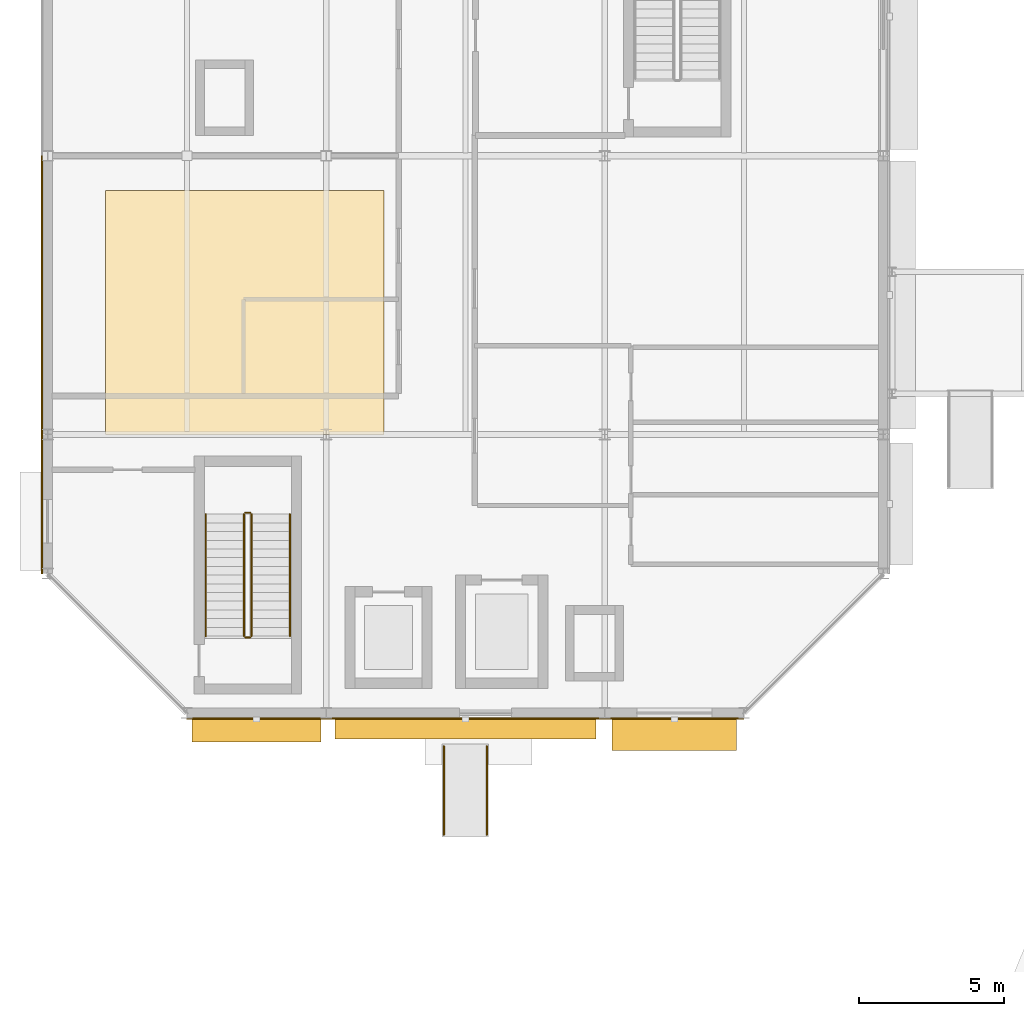
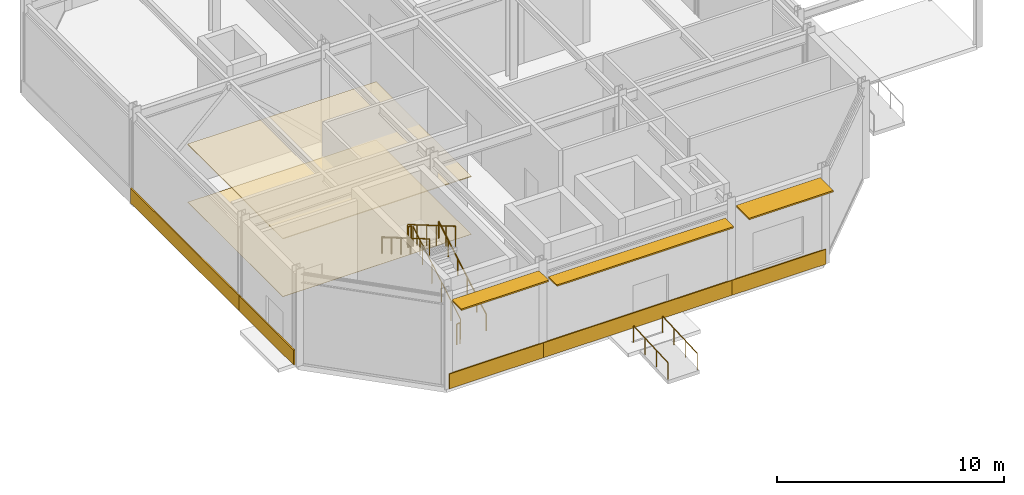
# One storey, part 152 of 168: 8 railings, 7 coverings, 3 shading devices.
"""IFC4 building model written with IfcOpenShell, lengths in metres."""

from ifc_helpers import new_model, si_unit, direction, frame, origin, origin_2d, place, context, subcontext, project, spatial, polyline, rectangle, circle, outline, extrude, material, layer, layer_set, type_object, element, save


model = new_model("IFC4")

# Units and contexts
model_context = context("Model", 3, precision=1e-05, world=origin(), true_north=direction((0.0, 1.0)))
body_context = subcontext(model_context, "Body", "Model", "MODEL_VIEW")
ifc_project = project(units=[si_unit("LENGTHUNIT", "METRE"), si_unit("AREAUNIT", "SQUARE_METRE"), si_unit("VOLUMEUNIT", "CUBIC_METRE"), si_unit("PLANEANGLEUNIT", "RADIAN"), si_unit("MASSUNIT", "GRAM", prefix="KILO")], contexts=[model_context])

# Site, building, storey
site_placement = place(None, origin())
site = spatial("IfcSite", under=ifc_project, at=site_placement, CompositionType="ELEMENT")
building_placement = place(site_placement, origin())
building = spatial("IfcBuilding", under=site, at=building_placement, Name="Almandine Court Research Institute", CompositionType="ELEMENT")
storey_placement = place(building_placement, origin())
storey = spatial("IfcBuildingStorey", under=building, at=storey_placement, Name="L00", CompositionType="ELEMENT", Elevation=0.0)

# Coverings
ifc_material_1 = material(Name="Cleanroom Aluminium HEPA Fan-Filter Ceiling Grid", Category="aluminium")
ifc_layer_1 = layer(ifc_material_1, 0.044921875)
ifc_layer_set_1 = layer_set([ifc_layer_1], Name="Cleanroom Aluminium HEPA Fan-Filter Ceiling Grid")
covering_type_1 = type_object("IfcCoveringType", Name="Cov-CEIL-HEPA", PredefinedType="CEILING", material=ifc_layer_set_1)
covering_1_placement = place(storey_placement, frame((0.0, 0.0, 3.10009765625)))
element("IfcCovering", 1, at=covering_1_placement, inside=storey, type_object=covering_type_1, Name="L00 Cleanroom and Laboratory Suspended Ceiling", PredefinedType="CEILING", context=body_context, shape_type="SweptSolid", body=[
    extrude(outline(polyline([(8.0, 93.60009765625), (17.60009765625, 93.60009765625), (17.60009765625, 102.0), (8.0, 102.0), (8.0, 93.60009765625)])), origin(), (0.0, 0.0, 1.0), 0.044921875),
])
ifc_material_2 = material(Name="Honed Andean Red-Buff Sandstone Cladding", Category="masonry")
ifc_layer_2 = layer(ifc_material_2, 0.06494140625)
ifc_layer_set_2 = layer_set([ifc_layer_2], Name="Honed Andean Red-Buff Sandstone Cladding")
covering_type_2 = type_object("IfcCoveringType", Name="Cov-CLAD-SAND", PredefinedType="CLADDING", material=ifc_layer_set_2)
covering_2_placement = place(storey_placement, frame((5.806884765625, 91.199951171875, 0.02001953125), z_axis=(0.0, 0.0, 1.0), x_axis=(0.0, 1.0, 0.0)))
element("IfcCovering", 2, at=covering_2_placement, inside=storey, type_object=covering_type_2, Name="L00 Facade Spandrel Cladding Band 34", PredefinedType="CLADDING", context=body_context, shape_type="SweptSolid", body=[
    extrude(rectangle(XDim=4.7919921875, YDim=0.06494140625, at=origin_2d()), origin(), (0.0, 0.0, 1.0), 0.800048828125),
])
covering_3_placement = place(storey_placement, frame((5.806884765625, 98.39990234375, 0.02001953125), z_axis=(0.0, 0.0, 1.0), x_axis=(0.0, 1.0, 0.0)))
element("IfcCovering", 3, at=covering_3_placement, inside=storey, type_object=covering_type_2, Name="L00 Facade Spandrel Cladding Band 35", PredefinedType="CLADDING", context=body_context, shape_type="SweptSolid", body=[
    extrude(rectangle(XDim=9.592041015625, YDim=0.06494140625, at=origin_2d()), origin(), (0.0, 0.0, 1.0), 0.800048828125),
])
covering_4_placement = place(storey_placement, frame((27.60009765625, 83.806884765625, 0.02001953125), z_axis=(0.0, 0.0, 1.0), x_axis=(-1.0, 0.0, 0.0)))
element("IfcCovering", 4, at=covering_4_placement, inside=storey, type_object=covering_type_2, Name="L00 Facade Spandrel Cladding Band 43", PredefinedType="CLADDING", context=body_context, shape_type="SweptSolid", body=[
    extrude(rectangle(XDim=4.7919921875, YDim=0.06494140625, at=origin_2d()), origin(), (0.0, 0.0, 1.0), 0.800048828125),
])
covering_5_placement = place(storey_placement, frame((20.39990234375, 83.806884765625, 0.02001953125), z_axis=(0.0, 0.0, 1.0), x_axis=(-1.0, 0.0, 0.0)))
element("IfcCovering", 5, at=covering_5_placement, inside=storey, type_object=covering_type_2, Name="L00 Facade Spandrel Cladding Band 44", PredefinedType="CLADDING", context=body_context, shape_type="SweptSolid", body=[
    extrude(rectangle(XDim=9.592041015625, YDim=0.06494140625, at=origin_2d()), origin(), (0.0, 0.0, 1.0), 0.800048828125),
])
covering_6_placement = place(storey_placement, frame((13.199951171875, 83.806884765625, 0.02001953125), z_axis=(0.0, 0.0, 1.0), x_axis=(-1.0, 0.0, 0.0)))
element("IfcCovering", 6, at=covering_6_placement, inside=storey, type_object=covering_type_2, Name="L00 Facade Spandrel Cladding Band 45", PredefinedType="CLADDING", context=body_context, shape_type="SweptSolid", body=[
    extrude(rectangle(XDim=4.7919921875, YDim=0.06494140625, at=origin_2d()), origin(), (0.0, 0.0, 1.0), 0.800048828125),
])
ifc_material_3 = material(Name="Seamless Chemical-Resistant Cleanroom Epoxy Flooring")
ifc_layer_3 = layer(ifc_material_3, 0.011962890625)
ifc_layer_set_3 = layer_set([ifc_layer_3], Name="Seamless Chemical-Resistant Cleanroom Epoxy Flooring")
covering_type_3 = type_object("IfcCoveringType", Name="Cov-FLR-EPOXY", PredefinedType="FLOORING", material=ifc_layer_set_3)
covering_7_placement = place(storey_placement, origin())
element("IfcCovering", 7, at=covering_7_placement, inside=storey, type_object=covering_type_3, Name="L00 Cleanroom Seamless Epoxy Flooring", PredefinedType="FLOORING", context=body_context, shape_type="SweptSolid", body=[
    extrude(outline(polyline([(8.0, 93.60009765625), (17.60009765625, 93.60009765625), (17.60009765625, 102.0), (8.0, 102.0), (8.0, 93.60009765625)])), origin(), (0.0, 0.0, 1.0), 0.011962890625),
])

# Railings
ifc_material_4 = material(Name="Powder-Coated Steel Stair and Atrium Balustrade", Category="steel")
railing_type_1 = type_object("IfcRailingType", Name="Rail-GUARD-INT", PredefinedType="BALUSTRADE", material=ifc_material_4)
railing_1_placement = place(storey_placement, frame((13.030029296875, 86.64990234375, 0.175048828125)))
element("IfcRailing", 8, at=railing_1_placement, inside=storey, type_object=railing_type_1, Name="L00 ST-05 stair guard 1", PredefinedType="BALUSTRADE", context=body_context, shape_type="SweptSolid", body=[
    extrude(circle(Radius=0.02392578125, at=origin_2d()), frame((0.0, 0.0, 1.09619140625), z_axis=(0.0, 0.863793468915, 0.503846050951), x_axis=(-1.0, 0.0, 0.0)), (0.0, 0.0, 1.0), 4.862548828125),
    extrude(circle(Radius=0.02099609375, at=origin_2d()), origin(), (0.0, 0.0, 1.0), 1.072021484375),
    extrude(circle(Radius=0.02099609375, at=origin_2d()), frame((0.0, 0.840087890625, 0.489990234375)), (0.0, 0.0, 1.0), 1.072021484375),
    extrude(circle(Radius=0.02099609375, at=origin_2d()), frame((0.0, 1.68017578125, 0.97998046875)), (0.0, 0.0, 1.0), 1.072021484375),
    extrude(circle(Radius=0.02099609375, at=origin_2d()), frame((0.0, 2.52001953125, 1.469970703125)), (0.0, 0.0, 1.0), 1.072021484375),
    extrude(circle(Radius=0.02099609375, at=origin_2d()), frame((0.0, 3.360107421875, 1.9599609375)), (0.0, 0.0, 1.0), 1.072021484375),
    extrude(circle(Radius=0.02099609375, at=origin_2d()), frame((0.0, 4.2001953125, 2.449951171875)), (0.0, 0.0, 1.0), 1.072021484375),
])
railing_2_placement = place(storey_placement, frame((12.97998046875, 90.89990234375, 2.625)))
element("IfcRailing", 9, at=railing_2_placement, inside=storey, type_object=railing_type_1, Name="L00 ST-05 stair guard 2", PredefinedType="BALUSTRADE", context=body_context, shape_type="SweptSolid", body=[
    extrude(circle(Radius=0.02392578125, at=origin_2d()), frame((0.0, 0.0, 1.09619140625), z_axis=(-1.0, 0.0, 0.0), x_axis=(0.0, -1.0, 0.0)), (0.0, 0.0, 1.0), 0.159912109375),
    extrude(circle(Radius=0.02099609375, at=origin_2d()), origin(), (0.0, 0.0, 1.0), 1.072021484375),
    extrude(circle(Radius=0.02099609375, at=origin_2d()), frame((-0.159912109375, 0.0, 0.0)), (0.0, 0.0, 1.0), 1.072021484375),
])
railing_3_placement = place(storey_placement, frame((12.77001953125, 90.85009765625, 2.800048828125)))
element("IfcRailing", 10, at=railing_3_placement, inside=storey, type_object=railing_type_1, Name="L00 ST-05 stair guard 3", PredefinedType="BALUSTRADE", context=body_context, shape_type="SweptSolid", body=[
    extrude(circle(Radius=0.02392578125, at=origin_2d()), frame((0.0, 0.0, 1.09619140625), z_axis=(0.0, -0.863793468915, 0.503846050951), x_axis=(1.0, 0.0, 0.0)), (0.0, 0.0, 1.0), 4.862548828125),
    extrude(circle(Radius=0.02099609375, at=origin_2d()), origin(), (0.0, 0.0, 1.0), 1.072021484375),
    extrude(circle(Radius=0.02099609375, at=origin_2d()), frame((0.0, -0.840087890625, 0.489990234375)), (0.0, 0.0, 1.0), 1.072021484375),
    extrude(circle(Radius=0.02099609375, at=origin_2d()), frame((0.0, -1.68017578125, 0.97998046875)), (0.0, 0.0, 1.0), 1.072021484375),
    extrude(circle(Radius=0.02099609375, at=origin_2d()), frame((0.0, -2.52001953125, 1.469970703125)), (0.0, 0.0, 1.0), 1.072021484375),
    extrude(circle(Radius=0.02099609375, at=origin_2d()), frame((0.0, -3.360107421875, 1.9599609375)), (0.0, 0.0, 1.0), 1.072021484375),
    extrude(circle(Radius=0.02099609375, at=origin_2d()), frame((0.0, -4.2001953125, 2.449951171875)), (0.0, 0.0, 1.0), 1.072021484375),
])
railing_4_placement = place(storey_placement, frame((12.97998046875, 86.60009765625, 0.0)))
element("IfcRailing", 11, at=railing_4_placement, inside=storey, type_object=railing_type_1, Name="L00 ST-05 stair guard 4", PredefinedType="BALUSTRADE", context=body_context, shape_type="SweptSolid", body=[
    extrude(circle(Radius=0.02392578125, at=origin_2d()), frame((0.0, 0.0, 1.09619140625), z_axis=(-1.0, 0.0, 0.0), x_axis=(0.0, -1.0, 0.0)), (0.0, 0.0, 1.0), 0.159912109375),
    extrude(circle(Radius=0.02099609375, at=origin_2d()), origin(), (0.0, 0.0, 1.0), 1.072021484375),
    extrude(circle(Radius=0.02099609375, at=origin_2d()), frame((-0.159912109375, 0.0, 0.0)), (0.0, 0.0, 1.0), 1.072021484375),
])
ifc_material_5 = material(Name="Brushed Stainless Steel Exterior Ramp Handrail", Category="steel")
railing_type_2 = type_object("IfcRailingType", Name="Rail-HAND-EXT", PredefinedType="HANDRAIL", material=ifc_material_5)
for number, where, name in (
    (12, (19.659912109375, 79.800048828125, -0.14990234375), "Cleanroom South Courtyard Accessible Ramp Handrail L"),
    (13, (21.139892578125, 79.800048828125, -0.14990234375), "Cleanroom South Courtyard Accessible Ramp Handrail R"),
):
    element("IfcRailing", number, at=place(storey_placement, frame(where)), inside=storey, type_object=railing_type_2, Name=name, PredefinedType="HANDRAIL", context=body_context, shape_type="SweptSolid", body=[
        extrude(circle(Radius=0.02392578125, at=origin_2d()), frame((0.0, 0.0, 0.8759765625), z_axis=(0.0, 0.998794444068, 0.049088272525), x_axis=(-1.0, 0.0, 0.0)), (0.0, 0.0, 1.0), 3.0537109375),
        extrude(circle(Radius=0.02099609375, at=origin_2d()), origin(), (0.0, 0.0, 1.0), 0.851806640625),
        extrude(circle(Radius=0.02099609375, at=origin_2d()), frame((0.0, 1.0166015625, 0.050048828125)), (0.0, 0.0, 1.0), 0.851806640625),
        extrude(circle(Radius=0.02099609375, at=origin_2d()), frame((0.0, 2.033447265625, 0.099853515625)), (0.0, 0.0, 1.0), 0.851806640625),
        extrude(circle(Radius=0.02099609375, at=origin_2d()), frame((0.0, 3.050048828125, 0.14990234375)), (0.0, 0.0, 1.0), 0.851806640625),
    ])
ifc_material_6 = material(Name="Brushed Stainless Steel Wall Handrail", Category="steel")
railing_type_3 = type_object("IfcRailingType", Name="Rail-HAND-INT", PredefinedType="HANDRAIL", material=ifc_material_6)
railing_5_placement = place(storey_placement, frame((14.35009765625, 86.64990234375, 0.175048828125)))
element("IfcRailing", 14, at=railing_5_placement, inside=storey, type_object=railing_type_3, Name="L00 ST-05 stair handrail 1", PredefinedType="HANDRAIL", context=body_context, shape_type="SweptSolid", body=[
    extrude(circle(Radius=0.02392578125, at=origin_2d()), frame((0.0, 0.0, 0.8759765625), z_axis=(0.0, 0.863793468915, 0.503846050951), x_axis=(-1.0, 0.0, 0.0)), (0.0, 0.0, 1.0), 4.862548828125),
    extrude(circle(Radius=0.02099609375, at=origin_2d()), origin(), (0.0, 0.0, 1.0), 0.851806640625),
    extrude(circle(Radius=0.02099609375, at=origin_2d()), frame((0.0, 0.840087890625, 0.489990234375)), (0.0, 0.0, 1.0), 0.851806640625),
    extrude(circle(Radius=0.02099609375, at=origin_2d()), frame((0.0, 1.68017578125, 0.97998046875)), (0.0, 0.0, 1.0), 0.851806640625),
    extrude(circle(Radius=0.02099609375, at=origin_2d()), frame((0.0, 2.52001953125, 1.469970703125)), (0.0, 0.0, 1.0), 0.851806640625),
    extrude(circle(Radius=0.02099609375, at=origin_2d()), frame((0.0, 3.360107421875, 1.9599609375)), (0.0, 0.0, 1.0), 0.851806640625),
    extrude(circle(Radius=0.02099609375, at=origin_2d()), frame((0.0, 4.2001953125, 2.449951171875)), (0.0, 0.0, 1.0), 0.851806640625),
])
railing_6_placement = place(storey_placement, frame((11.449951171875, 90.85009765625, 2.800048828125)))
element("IfcRailing", 15, at=railing_6_placement, inside=storey, type_object=railing_type_3, Name="L00 ST-05 stair handrail 2", PredefinedType="HANDRAIL", context=body_context, shape_type="SweptSolid", body=[
    extrude(circle(Radius=0.02392578125, at=origin_2d()), frame((0.0, 0.0, 0.8759765625), z_axis=(0.0, -0.863793468915, 0.503846050951), x_axis=(1.0, 0.0, 0.0)), (0.0, 0.0, 1.0), 4.862548828125),
    extrude(circle(Radius=0.02099609375, at=origin_2d()), origin(), (0.0, 0.0, 1.0), 0.851806640625),
    extrude(circle(Radius=0.02099609375, at=origin_2d()), frame((0.0, -0.840087890625, 0.489990234375)), (0.0, 0.0, 1.0), 0.851806640625),
    extrude(circle(Radius=0.02099609375, at=origin_2d()), frame((0.0, -1.68017578125, 0.97998046875)), (0.0, 0.0, 1.0), 0.851806640625),
    extrude(circle(Radius=0.02099609375, at=origin_2d()), frame((0.0, -2.52001953125, 1.469970703125)), (0.0, 0.0, 1.0), 0.851806640625),
    extrude(circle(Radius=0.02099609375, at=origin_2d()), frame((0.0, -3.360107421875, 1.9599609375)), (0.0, 0.0, 1.0), 0.851806640625),
    extrude(circle(Radius=0.02099609375, at=origin_2d()), frame((0.0, -4.2001953125, 2.449951171875)), (0.0, 0.0, 1.0), 0.851806640625),
])

# Shading devices
ifc_material_7 = material(Name="Precast GFRC Chhajja Sunshade and Acoustic Louvre", Category="concrete")
ifc_layer_4 = layer(ifc_material_7, 0.080078125)
ifc_layer_set_4 = layer_set([ifc_layer_4], Name="Precast GFRC Chhajja Sunshade and Acoustic Louvre")
shading_device_type_1 = type_object("IfcShadingDeviceType", Name="Shd-SD-13", PredefinedType="AWNING", material=ifc_layer_set_4)
shading_device_1_placement = place(storey_placement, frame((27.60009765625, 83.27197265625, 4.64990234375), z_axis=(0.0, 0.0, 1.0), x_axis=(-1.0, 0.0, 0.0)))
element("IfcShadingDevice", 16, at=shading_device_1_placement, inside=storey, type_object=shading_device_type_1, Name="L00 Projecting Chhajja Sunshade 18", PredefinedType="AWNING", context=body_context, shape_type="SweptSolid", body=[
    extrude(rectangle(XDim=4.281982421875, YDim=1.14990234375, at=origin_2d()), origin(), (0.0, 0.0, 1.0), 0.080078125),
])
ifc_layer_5 = layer(ifc_material_7, 0.080078125)
ifc_layer_set_5 = layer_set([ifc_layer_5], Name="Precast GFRC Chhajja Sunshade and Acoustic Louvre")
shading_device_type_2 = type_object("IfcShadingDeviceType", Name="Shd-SD-14", PredefinedType="AWNING", material=ifc_layer_set_5)
shading_device_2_placement = place(storey_placement, frame((20.39990234375, 83.471923828125, 4.1640625), z_axis=(0.0, 0.0, 1.0), x_axis=(-1.0, 0.0, 0.0)))
element("IfcShadingDevice", 17, at=shading_device_2_placement, inside=storey, type_object=shading_device_type_2, Name="L00 Projecting Chhajja Sunshade 19", PredefinedType="AWNING", context=body_context, shape_type="SweptSolid", body=[
    extrude(rectangle(XDim=9.001953125, YDim=0.75, at=origin_2d()), origin(), (0.0, 0.0, 1.0), 0.080078125),
])
ifc_layer_6 = layer(ifc_material_7, 0.080078125)
ifc_layer_set_6 = layer_set([ifc_layer_6], Name="Precast GFRC Chhajja Sunshade and Acoustic Louvre")
shading_device_type_3 = type_object("IfcShadingDeviceType", Name="Shd-SD-15", PredefinedType="AWNING", material=ifc_layer_set_6)
shading_device_3_placement = place(storey_placement, frame((13.199951171875, 83.422119140625, 4.64990234375), z_axis=(0.0, 0.0, 1.0), x_axis=(-1.0, 0.0, 0.0)))
element("IfcShadingDevice", 18, at=shading_device_3_placement, inside=storey, type_object=shading_device_type_3, Name="L00 Projecting Chhajja Sunshade 20", PredefinedType="AWNING", context=body_context, shape_type="SweptSolid", body=[
    extrude(rectangle(XDim=4.44189453125, YDim=0.85009765625, at=origin_2d()), origin(), (0.0, 0.0, 1.0), 0.080078125),
])

save(model, "model.ifc")
